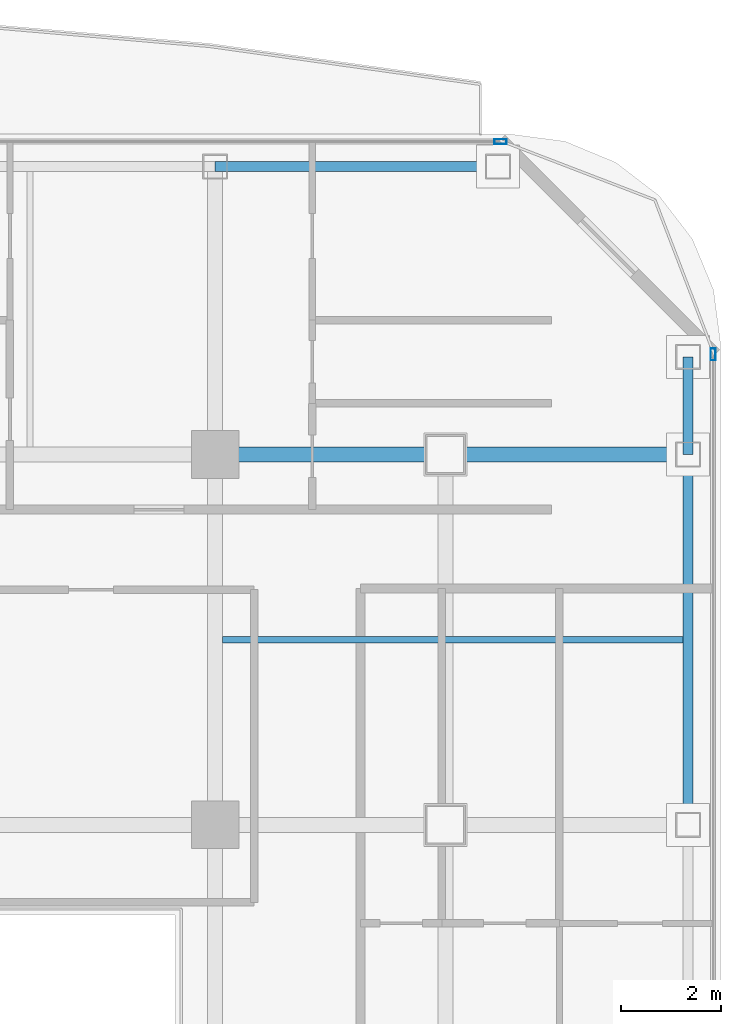
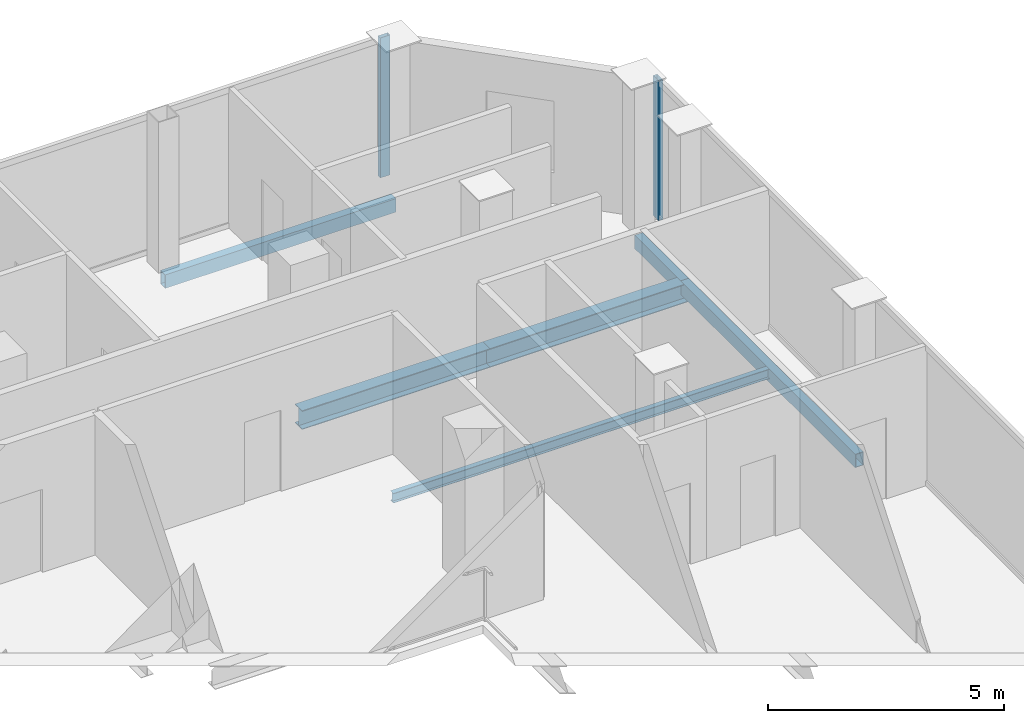
# One storey, part 14 of 22: 6 beams, 2 members, 2 elements without a shape of their own.
"""IFC4 building model written with IfcOpenShell, lengths in metres."""

from ifc_helpers import new_model, si_unit, direction, frame, origin, origin_2d, place, context, subcontext, project, spatial, hollow_rectangle, i_section, extrude, material, layer, layer_set, material_profile, profile_set, type_object, element, aggregate, save


model = new_model("IFC4")

# Units and contexts
model_context = context("Model", 3, precision=1e-05, world=origin(), true_north=direction((0.0, 1.0)))
body_context = subcontext(model_context, "Body", "Model", "MODEL_VIEW")
ifc_project = project(units=[si_unit("LENGTHUNIT", "METRE"), si_unit("AREAUNIT", "SQUARE_METRE"), si_unit("VOLUMEUNIT", "CUBIC_METRE"), si_unit("PLANEANGLEUNIT", "RADIAN"), si_unit("MASSUNIT", "GRAM", prefix="KILO")], contexts=[model_context])

# Site, building, storey
site_placement = place(None, origin())
site = spatial("IfcSite", under=ifc_project, at=site_placement, CompositionType="ELEMENT")
building_placement = place(site_placement, origin())
building = spatial("IfcBuilding", under=site, at=building_placement, Name="Khorvyn Point Tower", CompositionType="ELEMENT")
storey_placement = place(building_placement, frame((0.0, 0.0, 282.0)))
storey = spatial("IfcBuildingStorey", under=building, at=storey_placement, Name="L69", CompositionType="ELEMENT", Elevation=282.0)

# Curtain wall, member
ifc_material_1 = material(Name="Anodised aluminium 6063-T6 and laminated Low-E glass", Category="aluminium")
ifc_layer = layer(ifc_material_1, 0.18994140625)
ifc_layer_set = layer_set([ifc_layer], Name="Stick-Built High-Wind Curtain Wall CW-SYS-04")
curtain_wall_type = type_object("IfcCurtainWallType", Name="Stick-Built High-Wind Curtain Wall CW-SYS-04", PredefinedType="NOTDEFINED", material=ifc_layer_set)
curtain_wall_1_placement = place(storey_placement, origin())
curtain_wall_1 = element("IfcCurtainWall", 1, at=curtain_wall_1_placement, inside=storey, type_object=curtain_wall_type, Name="Curtain Wall", PredefinedType="NOTDEFINED")
ifc_material_2 = material(Name="Anodised aluminium 6063-T6", Category="aluminium")
ifc_material_profile_1 = material_profile(ifc_material_2, hollow_rectangle(XDim=0.10009765625, YDim=0.239990234375, WallThickness=0.0048828125, at=origin_2d()))
ifc_profile_set_1 = profile_set([ifc_material_profile_1], Name="Anodised aluminium 6063-T6 ALU-MUL-100x240")
member_type = type_object("IfcMemberType", Name="Anodised Aluminium 6063-T6 Mullion ALU-MUL-100x240", PredefinedType="MULLION", material=ifc_profile_set_1)
member_1_placement = place(storey_placement, frame((20.5, 21.050048828125, 0.0), z_axis=(0.0, 0.0, 1.0), x_axis=(0.0, 1.0, 0.0)))
member_1 = element("IfcMember", 2, at=member_1_placement, type_object=member_type, Name="Transom", PredefinedType="MULLION", context=body_context, shape_type="SweptSolid", body=[
    extrude(hollow_rectangle(XDim=0.10009765625, YDim=0.239990234375, WallThickness=0.0048828125, at=origin_2d()), origin(), (0.0, 0.0, 1.0), 3.6201171875),
])
aggregate(curtain_wall_1, [member_1])

curtain_wall_2_placement = place(storey_placement, origin())
curtain_wall_2 = element("IfcCurtainWall", 3, at=curtain_wall_2_placement, inside=storey, type_object=curtain_wall_type, Name="Curtain Wall", PredefinedType="NOTDEFINED")
member_2_placement = place(storey_placement, frame((24.75, 16.800048828125, 0.0), z_axis=(0.0, 0.0, 1.0), x_axis=(1.0, 0.0, 0.0)))
member_2 = element("IfcMember", 4, at=member_2_placement, type_object=member_type, Name="Transom", PredefinedType="MULLION", context=body_context, shape_type="SweptSolid", body=[
    extrude(hollow_rectangle(XDim=0.10009765625, YDim=0.239990234375, WallThickness=0.0048828125, at=origin_2d()), origin(), (0.0, 0.0, 1.0), 3.6201171875),
])
aggregate(curtain_wall_2, [member_2])

# Beams
ifc_material_3 = material(Name="Steel S355", Category="steel")
ifc_material_profile_2 = material_profile(ifc_material_3, i_section(OverallWidth=0.125, OverallDepth=0.25, WebThickness=0.006103515625, FlangeThickness=0.009033203125, at=origin_2d()))
ifc_profile_set_2 = profile_set([ifc_material_profile_2], Name="Steel S355 H250x125x6x9")
beam_type_1 = type_object("IfcBeamType", Name="Steel S355 Joist H250x125x6x9", PredefinedType="JOIST", material=ifc_profile_set_2)
beam_1_placement = place(storey_placement, frame((14.949951171875, 11.10009765625, -0.344970703125), z_axis=(1.0, 0.0, 0.0), x_axis=(0.0, 1.0, 0.0)))
element("IfcBeam", 5, at=beam_1_placement, inside=storey, type_object=beam_type_1, Name="Beam", PredefinedType="JOIST", context=body_context, shape_type="SweptSolid", body=[
    extrude(i_section(OverallWidth=0.125, OverallDepth=0.25, WebThickness=0.006103515625, FlangeThickness=0.009033203125, at=origin_2d()), origin(), (0.0, 0.0, 1.0), 9.199951171875),
])
ifc_material_profile_3 = material_profile(ifc_material_3, i_section(OverallWidth=0.300048828125, OverallDepth=0.488037109375, WebThickness=0.010986328125, FlangeThickness=0.01806640625, at=origin_2d()))
ifc_profile_set_3 = profile_set([ifc_material_profile_3], Name="Steel S355 H488x300x11x18")
beam_type_2 = type_object("IfcBeamType", Name="Steel S355 Spandrel H488x300x11x18", PredefinedType="SPANDREL", material=ifc_profile_set_3)
beam_2_placement = place(storey_placement, frame((14.800048828125, 14.800048828125, -0.464111328125), z_axis=(1.0, 0.0, 0.0), x_axis=(0.0, 1.0, 0.0)))
element("IfcBeam", 6, at=beam_2_placement, inside=storey, type_object=beam_type_2, Name="Beam", PredefinedType="SPANDREL", context=body_context, shape_type="SweptSolid", body=[
    extrude(i_section(OverallWidth=0.300048828125, OverallDepth=0.488037109375, WebThickness=0.010986328125, FlangeThickness=0.01806640625, at=origin_2d()), origin(), (0.0, 0.0, 1.0), 4.599853515625),
])
beam_3_placement = place(storey_placement, frame((19.39990234375, 14.800048828125, -0.464111328125), z_axis=(1.0, 0.0, 0.0), x_axis=(0.0, 1.0, 0.0)))
element("IfcBeam", 7, at=beam_3_placement, inside=storey, type_object=beam_type_2, Name="Beam", PredefinedType="SPANDREL", context=body_context, shape_type="SweptSolid", body=[
    extrude(i_section(OverallWidth=0.300048828125, OverallDepth=0.488037109375, WebThickness=0.010986328125, FlangeThickness=0.01806640625, at=origin_2d()), origin(), (0.0, 0.0, 1.0), 4.85009765625),
])
ifc_material_profile_4 = material_profile(ifc_material_3, hollow_rectangle(XDim=0.199951171875, YDim=0.35009765625, WallThickness=0.013916015625, at=origin_2d()))
ifc_profile_set_4 = profile_set([ifc_material_profile_4], Name="Steel S355 RHS350x200x14")
beam_type_3 = type_object("IfcBeamType", Name="Steel S355 Spandrel RHS350x200x14", PredefinedType="SPANDREL", material=ifc_profile_set_4)
beam_4_placement = place(storey_placement, frame((14.800048828125, 20.550048828125, -0.39501953125), z_axis=(1.0, 0.0, 0.0), x_axis=(0.0, 1.0, 0.0)))
element("IfcBeam", 8, at=beam_4_placement, inside=storey, type_object=beam_type_3, Name="Beam", PredefinedType="SPANDREL", context=body_context, shape_type="SweptSolid", body=[
    extrude(hollow_rectangle(XDim=0.199951171875, YDim=0.35009765625, WallThickness=0.013916015625, at=origin_2d()), origin(), (0.0, 0.0, 1.0), 5.64990234375),
])
beam_5_placement = place(storey_placement, frame((24.25, 7.39990234375, -0.39501953125), z_axis=(0.0, 1.0, 0.0), x_axis=(-1.0, 0.0, 0.0)))
element("IfcBeam", 9, at=beam_5_placement, inside=storey, type_object=beam_type_3, Name="Beam", PredefinedType="SPANDREL", context=body_context, shape_type="SweptSolid", body=[
    extrude(hollow_rectangle(XDim=0.199951171875, YDim=0.35009765625, WallThickness=0.013916015625, at=origin_2d()), origin(), (0.0, 0.0, 1.0), 7.400146484375),
])
beam_6_placement = place(storey_placement, frame((24.25, 14.800048828125, -0.39501953125), z_axis=(0.0, 1.0, 0.0), x_axis=(-1.0, 0.0, 0.0)))
element("IfcBeam", 10, at=beam_6_placement, inside=storey, type_object=beam_type_3, Name="Beam", PredefinedType="SPANDREL", context=body_context, shape_type="SweptSolid", body=[
    extrude(hollow_rectangle(XDim=0.199951171875, YDim=0.35009765625, WallThickness=0.013916015625, at=origin_2d()), origin(), (0.0, 0.0, 1.0), 1.949951171875),
])

save(model, "model.ifc")
